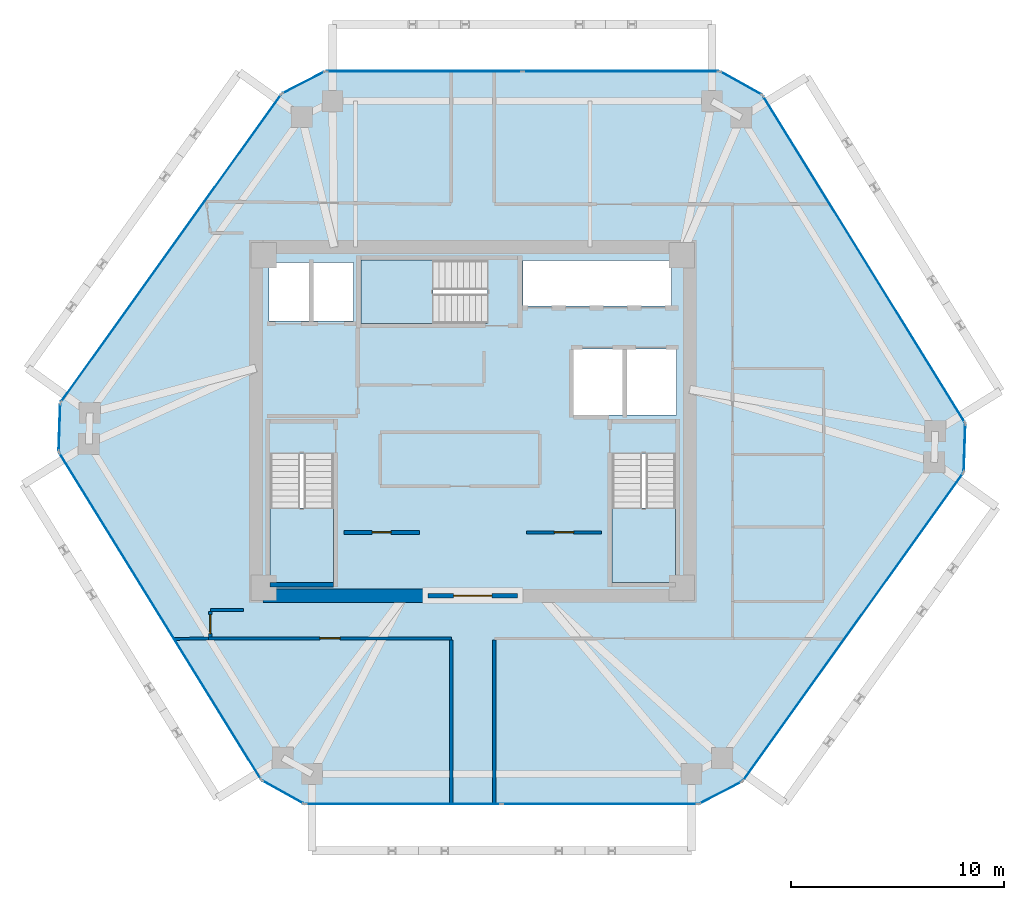
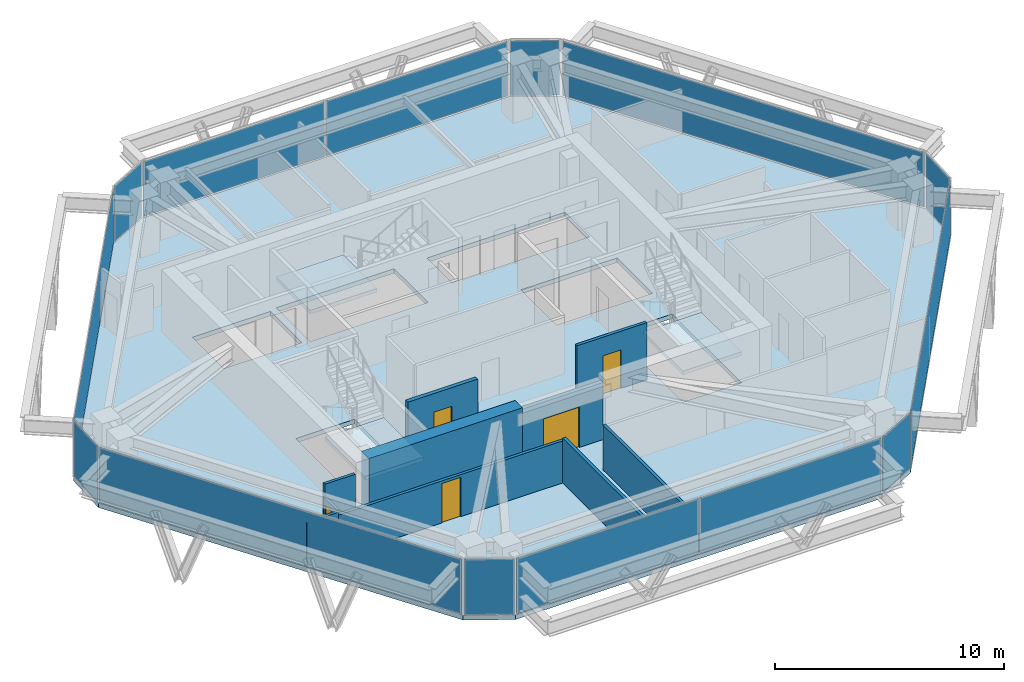
# One storey, part 7 of 11: 14 plates, 11 walls, 5 doors, 4 slabs, 5 openings, 15 elements without a shape of their own.
"""IFC4 building model written with IfcOpenShell, lengths in metres."""

from ifc_helpers import new_model, si_unit, direction, frame, frame_2d, origin, origin_2d, place, context, subcontext, project, spatial, polyline, rectangle, outline, extrude, source, transform, mapped, material, layer, layer_set, type_object, type_shapes, element, fill, aggregate, save


model = new_model("IFC4")

# Units and contexts
model_context = context("Model", 3, precision=1e-05, world=origin(), true_north=direction((0.0, 1.0)))
body_context = subcontext(model_context, "Body", "Model", "MODEL_VIEW")
ifc_project = project(units=[si_unit("LENGTHUNIT", "METRE"), si_unit("AREAUNIT", "SQUARE_METRE"), si_unit("VOLUMEUNIT", "CUBIC_METRE"), si_unit("PLANEANGLEUNIT", "RADIAN"), si_unit("MASSUNIT", "GRAM", prefix="KILO")], contexts=[model_context])

# Site, building, storey
site_placement = place(None, origin())
site = spatial("IfcSite", under=ifc_project, at=site_placement, CompositionType="ELEMENT")
building_placement = place(site_placement, origin())
building = spatial("IfcBuilding", under=site, at=building_placement, Name="Durnholm Broadcast Tower", CompositionType="ELEMENT")
storey_placement = place(building_placement, frame((0.0, 0.0, 170.5)))
storey = spatial("IfcBuildingStorey", under=building, at=storey_placement, Name="L46", CompositionType="ELEMENT", Elevation=170.5)

# Slab
ifc_material_1 = material(Name="Concrete C50/60", Category="concrete")
ifc_layer_1 = layer(ifc_material_1, 0.239990234375)
ifc_layer_set_1 = layer_set([ifc_layer_1], Name="Concrete C50/60")
slab_type_1 = type_object("IfcSlabType", Name="SLAB-FLR-240", PredefinedType="FLOOR", material=ifc_layer_set_1)
slab_1_placement = place(storey_placement, frame((0.0, 0.0, -0.239990234375)))
element("IfcSlab", 1, at=slab_1_placement, inside=storey, type_object=slab_type_1, Name="L46 structural floor slab", PredefinedType="FLOOR", context=body_context, shape_type="SweptSolid", body=[
    extrude(outline(polyline([(-9.912353515625, -16.822021484375), (-7.9033203125, -17.94189453125), (10.59521484375, -17.94189453125), (12.64111328125, -16.890625), (23.022705078125, -2.390380859375), (23.1005859375, -0.091552734375), (13.59033203125, 15.2978515625), (11.581298828125, 16.41796875), (-6.917236328125, 16.41796875), (-8.962890625, 15.36669921875), (-19.3447265625, 0.8662109375), (-19.422607421875, -1.432373046875), (-9.912353515625, -16.822021484375)]), holes=[polyline([(-6.5400390625, -1.5), (-9.5, -1.5), (-9.5, -7.550048828125), (-6.5400390625, -7.550048828125), (-6.5400390625, -1.5)]), polyline([(9.5, -7.550048828125), (9.5, -1.5), (6.5400390625, -1.5), (6.5400390625, -7.550048828125), (9.5, -7.550048828125)]), polyline([(9.550048828125, 3.39990234375), (4.699951171875, 3.39990234375), (4.699951171875, 0.300048828125), (9.550048828125, 0.300048828125), (9.550048828125, 3.39990234375)]), polyline([(-9.550048828125, 7.449951171875), (-9.550048828125, 4.699951171875), (-5.60009765625, 4.699951171875), (-5.60009765625, 7.449951171875), (-9.550048828125, 7.449951171875)]), polyline([(-5.25, 4.60009765625), (0.699951171875, 4.60009765625), (0.699951171875, 7.56005859375), (-5.25, 7.56005859375), (-5.25, 4.60009765625)]), polyline([(9.31005859375, 7.550048828125), (2.35009765625, 7.550048828125), (2.35009765625, 5.39990234375), (9.31005859375, 5.39990234375), (9.31005859375, 7.550048828125)])]), origin(), (0.0, 0.0, 1.0), 0.239990234375),
])

# Stair, slab
stair_type = type_object("IfcStairType", Name="STAIR-DL-20R1650", PredefinedType="HALF_TURN_STAIR", material=ifc_material_1)
stair_1_placement = place(storey_placement, origin())
stair_1 = element("IfcStair", 2, at=stair_1_placement, inside=storey, type_object=stair_type, Name="L46 ST-1", PredefinedType="HALF_TURN_STAIR")
ifc_layer_2 = layer(ifc_material_1, 0.199951171875)
ifc_layer_set_2 = layer_set([ifc_layer_2], Name="Concrete C50/60")
slab_type_2 = type_object("IfcSlabType", Name="SLAB-LND-200", PredefinedType="LANDING", material=ifc_layer_set_2)
slab_2_placement = place(storey_placement, frame((0.0, 0.0, 1.449951171875)))
slab_2 = element("IfcSlab", 3, at=slab_2_placement, type_object=slab_type_2, Name="ST-1 landing 1", PredefinedType="LANDING", context=body_context, shape_type="SweptSolid", body=[
    extrude(outline(polyline([(-9.5, -4.06494140625), (-9.5, -7.550048828125), (-6.5400390625, -7.550048828125), (-6.5400390625, -4.06494140625), (-9.5, -4.06494140625)])), origin(), (0.0, 0.0, 1.0), 0.199951171875),
])
aggregate(stair_1, [slab_2])

stair_2_placement = place(storey_placement, origin())
stair_2 = element("IfcStair", 4, at=stair_2_placement, inside=storey, type_object=stair_type, Name="L46 ST-2", PredefinedType="HALF_TURN_STAIR")
slab_3_placement = place(storey_placement, frame((0.0, 0.0, 1.449951171875)))
slab_3 = element("IfcSlab", 5, at=slab_3_placement, type_object=slab_type_2, Name="ST-2 landing 1", PredefinedType="LANDING", context=body_context, shape_type="SweptSolid", body=[
    extrude(outline(polyline([(6.5400390625, -4.06494140625), (6.5400390625, -7.550048828125), (9.5, -7.550048828125), (9.5, -4.06494140625), (6.5400390625, -4.06494140625)])), origin(), (0.0, 0.0, 1.0), 0.199951171875),
])
aggregate(stair_2, [slab_3])

stair_3_placement = place(storey_placement, origin())
stair_3 = element("IfcStair", 6, at=stair_3_placement, inside=storey, type_object=stair_type, Name="L46 ST-3", PredefinedType="HALF_TURN_STAIR")
slab_4_placement = place(storey_placement, frame((0.0, 0.0, 1.449951171875)))
slab_4 = element("IfcSlab", 7, at=slab_4_placement, type_object=slab_type_2, Name="ST-3 landing 1", PredefinedType="LANDING", context=body_context, shape_type="SweptSolid", body=[
    extrude(outline(polyline([(-1.864990234375, 7.56005859375), (-5.25, 7.56005859375), (-5.25, 4.60009765625), (-1.864990234375, 4.60009765625), (-1.864990234375, 7.56005859375)])), origin(), (0.0, 0.0, 1.0), 0.199951171875),
])
aggregate(stair_3, [slab_4])

# Curtain wall, plate
ifc_material_2 = material(Name="Aluminium and Solar Control IGU", Category="aluminium")
ifc_layer_3 = layer(ifc_material_2, 0.1650390625)
ifc_layer_set_3 = layer_set([ifc_layer_3], Name="Aluminium and Solar Control IGU")
curtain_wall_type_1 = type_object("IfcCurtainWallType", Name="CW-SYS-5", PredefinedType="NOTDEFINED", material=ifc_layer_set_3)
curtain_wall_1_placement = place(storey_placement, origin())
curtain_wall_1 = element("IfcCurtainWall", 8, at=curtain_wall_1_placement, inside=storey, type_object=curtain_wall_type_1, Name="L46 curtain wall CW-CORNER CW-L46-CRN-01", PredefinedType="NOTDEFINED")
ifc_material_3 = material(Name="Low-E Laminated Insulating Glass", Category="glass")
ifc_layer_4 = layer(ifc_material_3, 0.030029296875)
ifc_layer_set_4 = layer_set([ifc_layer_4], Name="Low-E Laminated Insulating Glass")
plate_type_1 = type_object("IfcPlateType", Name="CW-SYS-5-PNL", PredefinedType="CURTAIN_PANEL", material=ifc_layer_set_4)
shared_shape_1 = source(origin(), body_context, "Body", "SweptSolid", [
    extrude(rectangle(XDim=2.169921875, YDim=0.030029296875, at=origin_2d()), origin(), (0.0, 0.0, 1.0), 2.929931640625),
])
plate_1_placement = place(storey_placement, frame((-19.3837890625, -0.282958984375, 0.06494140625), z_axis=(0.0, 0.0, 1.0), x_axis=(0.033912704699, 0.999424798802, 0.0)))
plate_1 = element("IfcPlate", 9, at=plate_1_placement, type_object=plate_type_1, Name="CW-CORNER panel 1.1", PredefinedType="CURTAIN_PANEL", context=body_context, shape_type="MappedRepresentation", body=[
    mapped(shared_shape_1, transform((0.0, 0.0, 0.0), x_axis=(1.0, 0.0, 0.0), y_axis=(0.0, 1.0, 0.0), z_axis=(0.0, 0.0, 1.0), scale=1.0)),
])
aggregate(curtain_wall_1, [plate_1])

curtain_wall_2_placement = place(storey_placement, origin())
curtain_wall_2 = element("IfcCurtainWall", 10, at=curtain_wall_2_placement, inside=storey, type_object=curtain_wall_type_1, Name="L46 curtain wall CW-CORNER CW-L46-CRN-03", PredefinedType="NOTDEFINED")
plate_2_placement = place(storey_placement, frame((-7.940185546875, 15.892333984375, 0.06494140625), z_axis=(0.0, 0.0, 1.0), x_axis=(0.889424679545, 0.457081764476, 0.0)))
plate_2 = element("IfcPlate", 11, at=plate_2_placement, type_object=plate_type_1, Name="CW-CORNER panel 1.1", PredefinedType="CURTAIN_PANEL", context=body_context, shape_type="MappedRepresentation", body=[
    mapped(shared_shape_1, transform((0.0, 0.0, 0.0), x_axis=(1.0, 0.0, 0.0), y_axis=(0.0, 1.0, 0.0), z_axis=(0.0, 0.0, 1.0), scale=1.0)),
])
aggregate(curtain_wall_2, [plate_2])

curtain_wall_3_placement = place(storey_placement, origin())
curtain_wall_3 = element("IfcCurtainWall", 12, at=curtain_wall_3_placement, inside=storey, type_object=curtain_wall_type_1, Name="L46 curtain wall CW-CORNER CW-L46-CRN-07", PredefinedType="NOTDEFINED")
plate_3_placement = place(storey_placement, frame((23.061767578125, -1.240966796875, 0.06494140625), z_axis=(0.0, 0.0, 1.0), x_axis=(-0.033912704699, -0.999424798802, 0.0)))
plate_3 = element("IfcPlate", 13, at=plate_3_placement, type_object=plate_type_1, Name="CW-CORNER panel 1.1", PredefinedType="CURTAIN_PANEL", context=body_context, shape_type="MappedRepresentation", body=[
    mapped(shared_shape_1, transform((0.0, 0.0, 0.0), x_axis=(1.0, 0.0, 0.0), y_axis=(0.0, 1.0, 0.0), z_axis=(0.0, 0.0, 1.0), scale=1.0)),
])
aggregate(curtain_wall_3, [plate_3])

curtain_wall_4_placement = place(storey_placement, origin())
curtain_wall_4 = element("IfcCurtainWall", 14, at=curtain_wall_4_placement, inside=storey, type_object=curtain_wall_type_1, Name="L46 curtain wall CW-CORNER CW-L46-CRN-09", PredefinedType="NOTDEFINED")
plate_4_placement = place(storey_placement, frame((11.6181640625, -17.416259765625, 0.06494140625), z_axis=(0.0, 0.0, 1.0), x_axis=(-0.889424679545, -0.457081764476, 0.0)))
plate_4 = element("IfcPlate", 15, at=plate_4_placement, type_object=plate_type_1, Name="CW-CORNER panel 1.1", PredefinedType="CURTAIN_PANEL", context=body_context, shape_type="MappedRepresentation", body=[
    mapped(shared_shape_1, transform((0.0, 0.0, 0.0), x_axis=(1.0, 0.0, 0.0), y_axis=(0.0, 1.0, 0.0), z_axis=(0.0, 0.0, 1.0), scale=1.0)),
])
aggregate(curtain_wall_4, [plate_4])

ifc_layer_5 = layer(ifc_material_2, 0.18994140625)
ifc_layer_set_5 = layer_set([ifc_layer_5], Name="Aluminium and Solar Control IGU")
curtain_wall_type_2 = type_object("IfcCurtainWallType", Name="CW-SYS-4", PredefinedType="NOTDEFINED", material=ifc_layer_set_5)
curtain_wall_5_placement = place(storey_placement, origin())
curtain_wall_5 = element("IfcCurtainWall", 16, at=curtain_wall_5_placement, inside=storey, type_object=curtain_wall_type_2, Name="L46 curtain wall CW-Z34-VIS CW-L46-F02", PredefinedType="NOTDEFINED")
ifc_layer_6 = layer(ifc_material_3, 0.033935546875)
ifc_layer_set_6 = layer_set([ifc_layer_6], Name="Low-E Laminated Insulating Glass")
plate_type_2 = type_object("IfcPlateType", Name="CW-SYS-4-PNL", PredefinedType="CURTAIN_PANEL", material=ifc_layer_set_6)
shared_shape_2 = source(origin(), body_context, "Body", "SweptSolid", [
    extrude(rectangle(XDim=17.693603515625, YDim=0.033935546875, at=origin_2d()), origin(), (0.0, 0.0, 1.0), 2.919921875),
])
plate_5_placement = place(storey_placement, frame((-14.15380859375, 8.116455078125, 0.070068359375), z_axis=(0.0, 0.0, 1.0), x_axis=(0.582139030549, 0.813089262696, 0.0)))
plate_5 = element("IfcPlate", 17, at=plate_5_placement, type_object=plate_type_2, Name="CW-Z34-VIS panel 1.1", PredefinedType="CURTAIN_PANEL", context=body_context, shape_type="MappedRepresentation", body=[
    mapped(shared_shape_2, transform((0.0, 0.0, 0.0), x_axis=(1.0, 0.0, 0.0), y_axis=(0.0, 1.0, 0.0), z_axis=(0.0, 0.0, 1.0), scale=1.0)),
])
aggregate(curtain_wall_5, [plate_5])

curtain_wall_6_placement = place(storey_placement, origin())
curtain_wall_6 = element("IfcCurtainWall", 18, at=curtain_wall_6_placement, inside=storey, type_object=curtain_wall_type_2, Name="L46 curtain wall CW-Z34-VIS CW-L46-F08", PredefinedType="NOTDEFINED")
plate_6_placement = place(storey_placement, frame((17.831787109375, -9.640380859375, 0.070068359375), z_axis=(0.0, 0.0, 1.0), x_axis=(-0.582139030549, -0.813089262696, 0.0)))
plate_6 = element("IfcPlate", 19, at=plate_6_placement, type_object=plate_type_2, Name="CW-Z34-VIS panel 1.1", PredefinedType="CURTAIN_PANEL", context=body_context, shape_type="MappedRepresentation", body=[
    mapped(shared_shape_2, transform((0.0, 0.0, 0.0), x_axis=(1.0, 0.0, 0.0), y_axis=(0.0, 1.0, 0.0), z_axis=(0.0, 0.0, 1.0), scale=1.0)),
])
aggregate(curtain_wall_6, [plate_6])

# Curtain wall, plates
curtain_wall_7_placement = place(storey_placement, origin())
curtain_wall_7 = element("IfcCurtainWall", 20, at=curtain_wall_7_placement, inside=storey, type_object=curtain_wall_type_2, Name="L46 curtain wall CW-Z34-VIS CW-L46-F04", PredefinedType="NOTDEFINED")
shared_shape_3 = source(origin(), body_context, "Body", "SweptSolid", [
    extrude(rectangle(XDim=9.144287109375, YDim=0.033935546875, at=origin_2d()), origin(), (0.0, 0.0, 1.0), 2.919921875),
])
plate_7_placement = place(storey_placement, frame((-2.275146484375, 16.41796875, 0.070068359375), z_axis=(0.0, 0.0, 1.0), x_axis=(1.0, 0.0, 0.0)))
plate_7 = element("IfcPlate", 21, at=plate_7_placement, type_object=plate_type_2, Name="CW-Z34-VIS panel 1.1", PredefinedType="CURTAIN_PANEL", context=body_context, shape_type="MappedRepresentation", body=[
    mapped(shared_shape_3, transform((0.0, 0.0, 0.0), x_axis=(1.0, 0.0, 0.0), y_axis=(0.0, 1.0, 0.0), z_axis=(0.0, 0.0, 1.0), scale=1.0)),
])
plate_8_placement = place(storey_placement, frame((6.939208984375, 16.41796875, 0.070068359375), z_axis=(0.0, 0.0, 1.0), x_axis=(1.0, 0.0, 0.0)))
plate_8 = element("IfcPlate", 22, at=plate_8_placement, type_object=plate_type_2, Name="CW-Z34-VIS panel 2.1", PredefinedType="CURTAIN_PANEL", context=body_context, shape_type="MappedRepresentation", body=[
    mapped(shared_shape_3, transform((0.0, 0.0, 0.0), x_axis=(1.0, 0.0, 0.0), y_axis=(0.0, 1.0, 0.0), z_axis=(0.0, 0.0, 1.0), scale=1.0)),
])
aggregate(curtain_wall_7, [plate_7, plate_8])

curtain_wall_8_placement = place(storey_placement, origin())
curtain_wall_8 = element("IfcCurtainWall", 23, at=curtain_wall_8_placement, inside=storey, type_object=curtain_wall_type_2, Name="L46 curtain wall CW-Z34-VIS CW-L46-F10", PredefinedType="NOTDEFINED")
plate_9_placement = place(storey_placement, frame((5.953125, -17.94189453125, 0.070068359375), z_axis=(0.0, 0.0, 1.0), x_axis=(-1.0, 0.0, 0.0)))
plate_9 = element("IfcPlate", 24, at=plate_9_placement, type_object=plate_type_2, Name="CW-Z34-VIS panel 1.1", PredefinedType="CURTAIN_PANEL", context=body_context, shape_type="MappedRepresentation", body=[
    mapped(shared_shape_3, transform((0.0, 0.0, 0.0), x_axis=(1.0, 0.0, 0.0), y_axis=(0.0, 1.0, 0.0), z_axis=(0.0, 0.0, 1.0), scale=1.0)),
])
plate_10_placement = place(storey_placement, frame((-3.26123046875, -17.94189453125, 0.070068359375), z_axis=(0.0, 0.0, 1.0), x_axis=(-1.0, 0.0, 0.0)))
plate_10 = element("IfcPlate", 25, at=plate_10_placement, type_object=plate_type_2, Name="CW-Z34-VIS panel 2.1", PredefinedType="CURTAIN_PANEL", context=body_context, shape_type="MappedRepresentation", body=[
    mapped(shared_shape_3, transform((0.0, 0.0, 0.0), x_axis=(1.0, 0.0, 0.0), y_axis=(0.0, 1.0, 0.0), z_axis=(0.0, 0.0, 1.0), scale=1.0)),
])
aggregate(curtain_wall_8, [plate_9, plate_10])

# Curtain wall, plate
curtain_wall_9_placement = place(storey_placement, origin())
curtain_wall_9 = element("IfcCurtainWall", 26, at=curtain_wall_9_placement, inside=storey, type_object=curtain_wall_type_1, Name="L46 curtain wall CW-CORNER CW-L46-CRN-05", PredefinedType="NOTDEFINED")
shared_shape_4 = source(origin(), body_context, "Body", "SweptSolid", [
    extrude(rectangle(XDim=2.170166015625, YDim=0.030029296875, at=origin_2d()), origin(), (0.0, 0.0, 1.0), 2.929931640625),
])
type_shapes(plate_type_1, [shared_shape_1, shared_shape_4])
plate_11_placement = place(storey_placement, frame((12.5859375, 15.85791015625, 0.06494140625), z_axis=(0.0, 0.0, 1.0), x_axis=(0.873409751271, -0.486986043316, 0.0)))
plate_11 = element("IfcPlate", 27, at=plate_11_placement, type_object=plate_type_1, Name="CW-CORNER panel 1.1", PredefinedType="CURTAIN_PANEL", context=body_context, shape_type="MappedRepresentation", body=[
    mapped(shared_shape_4, transform((0.0, 0.0, 0.0), x_axis=(1.0, 0.0, 0.0), y_axis=(0.0, 1.0, 0.0), z_axis=(0.0, 0.0, 1.0), scale=1.0)),
])
aggregate(curtain_wall_9, [plate_11])

curtain_wall_10_placement = place(storey_placement, origin())
curtain_wall_10 = element("IfcCurtainWall", 28, at=curtain_wall_10_placement, inside=storey, type_object=curtain_wall_type_1, Name="L46 curtain wall CW-CORNER CW-L46-CRN-11", PredefinedType="NOTDEFINED")
plate_12_placement = place(storey_placement, frame((-8.907958984375, -17.3818359375, 0.06494140625), z_axis=(0.0, 0.0, 1.0), x_axis=(-0.873409751271, 0.486986043316, 0.0)))
plate_12 = element("IfcPlate", 29, at=plate_12_placement, type_object=plate_type_1, Name="CW-CORNER panel 1.1", PredefinedType="CURTAIN_PANEL", context=body_context, shape_type="MappedRepresentation", body=[
    mapped(shared_shape_4, transform((0.0, 0.0, 0.0), x_axis=(1.0, 0.0, 0.0), y_axis=(0.0, 1.0, 0.0), z_axis=(0.0, 0.0, 1.0), scale=1.0)),
])
aggregate(curtain_wall_10, [plate_12])

curtain_wall_11_placement = place(storey_placement, origin())
curtain_wall_11 = element("IfcCurtainWall", 30, at=curtain_wall_11_placement, inside=storey, type_object=curtain_wall_type_2, Name="L46 curtain wall CW-Z34-VIS CW-L46-F06", PredefinedType="NOTDEFINED")
shared_shape_5 = source(origin(), body_context, "Body", "SweptSolid", [
    extrude(rectangle(XDim=17.950927734375, YDim=0.033935546875, at=origin_2d()), origin(), (0.0, 0.0, 1.0), 2.919921875),
])
type_shapes(plate_type_2, [shared_shape_2, shared_shape_3, shared_shape_5])
plate_13_placement = place(storey_placement, frame((18.345458984375, 7.603271484375, 0.070068359375), z_axis=(0.0, 0.0, 1.0), x_axis=(0.525697750452, -0.850671426092, 0.0)))
plate_13 = element("IfcPlate", 31, at=plate_13_placement, type_object=plate_type_2, Name="CW-Z34-VIS panel 1.1", PredefinedType="CURTAIN_PANEL", context=body_context, shape_type="MappedRepresentation", body=[
    mapped(shared_shape_5, transform((0.0, 0.0, 0.0), x_axis=(1.0, 0.0, 0.0), y_axis=(0.0, 1.0, 0.0), z_axis=(0.0, 0.0, 1.0), scale=1.0)),
])
aggregate(curtain_wall_11, [plate_13])

curtain_wall_12_placement = place(storey_placement, origin())
curtain_wall_12 = element("IfcCurtainWall", 32, at=curtain_wall_12_placement, inside=storey, type_object=curtain_wall_type_2, Name="L46 curtain wall CW-Z34-VIS CW-L46-F12", PredefinedType="NOTDEFINED")
plate_14_placement = place(storey_placement, frame((-14.66748046875, -9.127197265625, 0.070068359375), z_axis=(0.0, 0.0, 1.0), x_axis=(-0.525697750452, 0.850671426092, 0.0)))
plate_14 = element("IfcPlate", 33, at=plate_14_placement, type_object=plate_type_2, Name="CW-Z34-VIS panel 1.1", PredefinedType="CURTAIN_PANEL", context=body_context, shape_type="MappedRepresentation", body=[
    mapped(shared_shape_5, transform((0.0, 0.0, 0.0), x_axis=(1.0, 0.0, 0.0), y_axis=(0.0, 1.0, 0.0), z_axis=(0.0, 0.0, 1.0), scale=1.0)),
])
aggregate(curtain_wall_12, [plate_14])

# Wall
ifc_material_4 = material(Name="Concrete C70/85", Category="concrete")
ifc_layer_7 = layer(ifc_material_4, 0.64990234375)
ifc_layer_set_7 = layer_set([ifc_layer_7], Name="Concrete C70/85")
wall_type_1 = type_object("IfcWallType", Name="WALL-CW-650", PredefinedType="SHEAR", material=ifc_layer_set_7)
wall_1_placement = place(storey_placement, frame((-9.85009765625, -8.175048828125, 0.0), z_axis=(0.0, 0.0, 1.0), x_axis=(1.0, 0.0, 0.0)))
element("IfcWall", 34, at=wall_1_placement, inside=storey, type_object=wall_type_1, Name="L46 central core shear wall CW-S1", PredefinedType="SHEAR", context=body_context, shape_type="SweptSolid", body=[
    extrude(rectangle(XDim=7.75, YDim=0.64990234375, at=frame_2d((3.875, 0.0))), origin(), (0.0, 0.0, 1.0), 3.300048828125),
])

# Wall, opening, door
ifc_material_5 = material(Name="Fire-Rated Gypsum Shaftwall", Category="concrete")
ifc_layer_8 = layer(ifc_material_5, 0.199951171875)
ifc_layer_set_8 = layer_set([ifc_layer_8], Name="Fire-Rated Gypsum Shaftwall")
wall_type_2 = type_object("IfcWallType", Name="WALL-LOB-200", PredefinedType="SOLIDWALL", material=ifc_layer_set_8)
wall_2_placement = place(storey_placement, frame((-2.10009765625, -8.175048828125, 0.0), z_axis=(0.0, 0.0, 1.0), x_axis=(1.0, 0.0, 0.0)))
wall_2 = element("IfcWall", 35, at=wall_2_placement, inside=storey, type_object=wall_type_2, Name="L46 south core lobby fire screen", PredefinedType="SOLIDWALL", context=body_context, shape_type="SweptSolid", body=[
    extrude(rectangle(XDim=4.2001953125, YDim=0.199951171875, at=frame_2d((2.10009765625, 0.0))), origin(), (0.0, 0.0, 1.0), 3.044921875),
])
opening_1_placement = place(wall_2_placement, frame((1.199951171875, 0.0, 0.0)))
opening_1 = element("IfcOpeningElement", 36, at=opening_1_placement, cuts=wall_2, Name="Opening DP-60", PredefinedType="OPENING", context=body_context, shape_type="SweptSolid", body=[
    extrude(rectangle(XDim=1.800048828125, YDim=2.14990234375, at=frame_2d((0.89990234375, 1.074951171875))), frame((0.0, 0.10986328125, 0.0), z_axis=(0.0, -1.0, 0.0), x_axis=(1.0, 0.0, 0.0)), (0.0, 0.0, 1.0), 0.219970703125),
])
ifc_material_6 = material(Name="Fire-Rated Double Corridor Door", Category="steel")
ifc_layer_9 = layer(ifc_material_6, 0.050048828125)
ifc_layer_set_9 = layer_set([ifc_layer_9], Name="Fire-Rated Double Corridor Door")
door_type_1 = type_object("IfcDoorType", Name="DOOR-PAIR-FD60", OperationType="DOUBLE_DOOR_SINGLE_SWING", PredefinedType="DOOR", material=ifc_layer_set_9)
shared_shape_6 = source(origin(), body_context, "Body", "SweptSolid", [
    extrude(rectangle(XDim=1.800048828125, YDim=2.14990234375, at=frame_2d((0.89990234375, 1.074951171875))), frame((0.0, 0.02490234375, 0.0), z_axis=(0.0, -1.0, 0.0), x_axis=(1.0, 0.0, 0.0)), (0.0, 0.0, 1.0), 0.050048828125),
])
type_shapes(door_type_1, [shared_shape_6])
door_1_placement = place(opening_1_placement, origin())
door_1 = element("IfcDoor", 37, at=door_1_placement, inside=storey, type_object=door_type_1, Name="L46 south core lobby double fire door", OperationType="DOUBLE_DOOR_SINGLE_SWING", OverallHeight=2.14990234375, OverallWidth=1.800048828125, PredefinedType="DOOR", context=body_context, shape_type="MappedRepresentation", body=[
    mapped(shared_shape_6, transform((0.0, 0.0, 0.0), x_axis=(1.0, 0.0, 0.0), y_axis=(0.0, 1.0, 0.0), z_axis=(0.0, 0.0, 1.0), scale=1.0)),
])
fill(opening_1, door_1)

wall_3_placement = place(storey_placement, frame((-6.0400390625, -5.2099609375, 0.0), z_axis=(0.0, 0.0, 1.0), x_axis=(1.0, 0.0, 0.0)))
wall_3 = element("IfcWall", 38, at=wall_3_placement, inside=storey, type_object=wall_type_2, Name="L46 Broadcast Signal Rack Room corridor partition", PredefinedType="SOLIDWALL", context=body_context, shape_type="SweptSolid", body=[
    extrude(rectangle(XDim=3.530029296875, YDim=0.199951171875, at=frame_2d((1.76513671875, 0.0))), origin(), (0.0, 0.0, 1.0), 3.044921875),
])
opening_2_placement = place(wall_3_placement, frame((1.31494140625, 0.0, 0.0)))
opening_2 = element("IfcOpeningElement", 39, at=opening_2_placement, cuts=wall_3, Name="Opening DC-60R", PredefinedType="OPENING", context=body_context, shape_type="SweptSolid", body=[
    extrude(rectangle(XDim=0.89990234375, YDim=2.050048828125, at=frame_2d((0.449951171875, 1.02490234375))), frame((0.0, 0.10986328125, 0.0), z_axis=(0.0, -1.0, 0.0), x_axis=(1.0, 0.0, 0.0)), (0.0, 0.0, 1.0), 0.219970703125),
])
ifc_material_7 = material(Name="Fire-Rated Core Service Door", Category="steel")
ifc_layer_10 = layer(ifc_material_7, 0.050048828125)
ifc_layer_set_10 = layer_set([ifc_layer_10], Name="Fire-Rated Core Service Door")
door_type_2 = type_object("IfcDoorType", Name="DOOR-CORE-FD60-R", OperationType="NOTDEFINED", PredefinedType="DOOR", material=ifc_layer_set_10)
shared_shape_7 = source(origin(), body_context, "Body", "SweptSolid", [
    extrude(rectangle(XDim=0.89990234375, YDim=2.050048828125, at=frame_2d((0.449951171875, 1.02490234375))), frame((0.0, 0.02490234375, 0.0), z_axis=(0.0, -1.0, 0.0), x_axis=(1.0, 0.0, 0.0)), (0.0, 0.0, 1.0), 0.050048828125),
])
type_shapes(door_type_2, [shared_shape_7])
door_2_placement = place(opening_2_placement, origin())
door_2 = element("IfcDoor", 40, at=door_2_placement, inside=storey, type_object=door_type_2, Name="L46 Broadcast Signal Rack Room entrance door", OperationType="SINGLE_SWING_RIGHT", OverallHeight=2.050048828125, OverallWidth=0.89990234375, PredefinedType="DOOR", context=body_context, shape_type="MappedRepresentation", body=[
    mapped(shared_shape_7, transform((0.0, 0.0, 0.0), x_axis=(1.0, 0.0, 0.0), y_axis=(0.0, 1.0, 0.0), z_axis=(0.0, 0.0, 1.0), scale=1.0)),
])
fill(opening_2, door_2)

# Wall
ifc_material_8 = material(Name="Gypsum Metal Stud Partition", Category="concrete")
ifc_layer_11 = layer(ifc_material_8, 0.135009765625)
ifc_layer_set_11 = layer_set([ifc_layer_11], Name="Gypsum Metal Stud Partition")
wall_type_3 = type_object("IfcWallType", Name="WALL-PART-135", PredefinedType="PARTITIONING", material=ifc_layer_set_11)
wall_4_placement = place(storey_placement, frame((-14.00390625, -10.200927734375, 0.0), z_axis=(0.0, 0.0, 1.0), x_axis=(0.999923084603, 0.012402615782, 0.0)))
element("IfcWall", 41, at=wall_4_placement, inside=storey, type_object=wall_type_3, Name="L46 room dividing partition 10.12", PredefinedType="PARTITIONING", context=body_context, shape_type="SweptSolid", body=[
    extrude(rectangle(XDim=1.6142578125, YDim=0.135009765625, at=frame_2d((0.80712890625, 0.0))), origin(), (0.0, 0.0, 1.0), 2.398681640625),
])

# Wall, opening, door
ifc_material_9 = material(Name="Acoustic Gypsum Stud Partition", Category="concrete")
ifc_layer_12 = layer(ifc_material_9, 0.14990234375)
ifc_layer_set_12 = layer_set([ifc_layer_12], Name="Acoustic Gypsum Stud Partition")
wall_type_4 = type_object("IfcWallType", Name="WALL-PART-150", PredefinedType="PARTITIONING", material=ifc_layer_set_12)
wall_5_placement = place(storey_placement, frame((2.510009765625, -5.2099609375, 0.0), z_axis=(0.0, 0.0, 1.0), x_axis=(1.0, 0.0, 0.0)))
wall_5 = element("IfcWall", 42, at=wall_5_placement, inside=storey, type_object=wall_type_4, Name="L46 Editorial Beverage Pantry corridor partition", PredefinedType="PARTITIONING", context=body_context, shape_type="SweptSolid", body=[
    extrude(rectangle(XDim=3.530029296875, YDim=0.14990234375, at=frame_2d((1.76513671875, 0.0))), origin(), (0.0, 0.0, 1.0), 3.044921875),
])
opening_3_placement = place(wall_5_placement, frame((1.31494140625, 0.0, 0.0)))
opening_3 = element("IfcOpeningElement", 43, at=opening_3_placement, cuts=wall_5, Name="Opening DC-60L", PredefinedType="OPENING", context=body_context, shape_type="SweptSolid", body=[
    extrude(rectangle(XDim=0.89990234375, YDim=2.050048828125, at=frame_2d((0.449951171875, 1.02490234375))), frame((0.0, 0.0849609375, 0.0), z_axis=(0.0, -1.0, 0.0), x_axis=(1.0, 0.0, 0.0)), (0.0, 0.0, 1.0), 0.169921875),
])
ifc_layer_13 = layer(ifc_material_7, 0.050048828125)
ifc_layer_set_13 = layer_set([ifc_layer_13], Name="Fire-Rated Core Service Door")
door_type_3 = type_object("IfcDoorType", Name="DOOR-CORE-FD60-L", OperationType="NOTDEFINED", PredefinedType="DOOR", material=ifc_layer_set_13)
shared_shape_8 = source(origin(), body_context, "Body", "SweptSolid", [
    extrude(rectangle(XDim=0.89990234375, YDim=2.050048828125, at=frame_2d((0.449951171875, 1.02490234375))), frame((0.0, 0.02490234375, 0.0), z_axis=(0.0, -1.0, 0.0), x_axis=(1.0, 0.0, 0.0)), (0.0, 0.0, 1.0), 0.050048828125),
])
type_shapes(door_type_3, [shared_shape_8])
door_3_placement = place(opening_3_placement, origin())
door_3 = element("IfcDoor", 44, at=door_3_placement, inside=storey, type_object=door_type_3, Name="L46 Editorial Beverage Pantry entrance door", OperationType="SINGLE_SWING_LEFT", OverallHeight=2.050048828125, OverallWidth=0.89990234375, PredefinedType="DOOR", context=body_context, shape_type="MappedRepresentation", body=[
    mapped(shared_shape_8, transform((0.0, 0.0, 0.0), x_axis=(1.0, 0.0, 0.0), y_axis=(0.0, 1.0, 0.0), z_axis=(0.0, 0.0, 1.0), scale=1.0)),
])
fill(opening_3, door_3)

wall_6_placement = place(storey_placement, frame((-12.389892578125, -10.179931640625, 0.0), z_axis=(0.0, 0.0, 1.0), x_axis=(1.0, 0.0, 0.0)))
wall_6 = element("IfcWall", 45, at=wall_6_placement, inside=storey, type_object=wall_type_4, Name="L46 Research Commons Lounge corridor partition", PredefinedType="PARTITIONING", context=body_context, shape_type="SweptSolid", body=[
    extrude(rectangle(XDim=11.3798828125, YDim=0.14990234375, at=frame_2d((5.68994140625, 0.0))), origin(), (0.0, 0.0, 1.0), 2.24169921875),
])
opening_4_placement = place(wall_6_placement, frame((5.215087890625, 0.0, 0.0)))
opening_4 = element("IfcOpeningElement", 46, at=opening_4_placement, cuts=wall_6, Name="Opening DR-95L", PredefinedType="OPENING", context=body_context, shape_type="SweptSolid", body=[
    extrude(rectangle(XDim=0.949951171875, YDim=2.10009765625, at=frame_2d((0.47509765625, 1.050048828125))), frame((0.0, 0.0849609375, 0.0), z_axis=(0.0, -1.0, 0.0), x_axis=(1.0, 0.0, 0.0)), (0.0, 0.0, 1.0), 0.169921875),
])
ifc_material_10 = material(Name="Acoustic Oak Veneer Timber Door", Category="wood")
ifc_layer_14 = layer(ifc_material_10, 0.050048828125)
ifc_layer_set_14 = layer_set([ifc_layer_14], Name="Acoustic Oak Veneer Timber Door")
door_type_4 = type_object("IfcDoorType", Name="DOOR-RM-950L", OperationType="NOTDEFINED", PredefinedType="DOOR", material=ifc_layer_set_14)
shared_shape_9 = source(origin(), body_context, "Body", "SweptSolid", [
    extrude(rectangle(XDim=0.949951171875, YDim=2.10009765625, at=frame_2d((0.47509765625, 1.050048828125))), frame((0.0, 0.02490234375, 0.0), z_axis=(0.0, -1.0, 0.0), x_axis=(1.0, 0.0, 0.0)), (0.0, 0.0, 1.0), 0.050048828125),
])
type_shapes(door_type_4, [shared_shape_9])
door_4_placement = place(opening_4_placement, origin())
door_4 = element("IfcDoor", 47, at=door_4_placement, inside=storey, type_object=door_type_4, Name="L46 Research Commons Lounge entrance door", OperationType="SINGLE_SWING_LEFT", OverallHeight=2.10009765625, OverallWidth=0.949951171875, PredefinedType="DOOR", context=body_context, shape_type="MappedRepresentation", body=[
    mapped(shared_shape_9, transform((0.0, 0.0, 0.0), x_axis=(1.0, 0.0, 0.0), y_axis=(0.0, 1.0, 0.0), z_axis=(0.0, 0.0, 1.0), scale=1.0)),
])
fill(opening_4, door_4)

# Walls
for number, where, z_axis, x_axis, name in (
    (48, (-1.010009765625, -10.259033203125, 0.0), (0.0, 0.0, 1.0), (0.0, -1.0, 0.0), "L46 Research Commons Lounge corridor partition"),
    (49, (1.010009765625, -17.94189453125, 0.0), (0.0, 0.0, 1.0), (0.0, 1.0, 0.0), "L46 Lab Catering Kitchen corridor partition"),
):
    element("IfcWall", number, at=place(storey_placement, frame(where, z_axis=z_axis, x_axis=x_axis)), inside=storey, type_object=wall_type_4, Name=name, PredefinedType="PARTITIONING", context=body_context, shape_type="SweptSolid", body=[
        extrude(rectangle(XDim=7.682861328125, YDim=0.14990234375, at=frame_2d((3.84130859375, 0.0))), origin(), (0.0, 0.0, 1.0), 2.398681640625),
    ])
wall_7_placement = place(storey_placement, frame((-10.760009765625, -8.840087890625, 0.0), z_axis=(0.0, 0.0, 1.0), x_axis=(-1.0, 0.0, 0.0)))
element("IfcWall", 50, at=wall_7_placement, inside=storey, type_object=wall_type_4, Name="L46 Technical Dining Room corridor partition", PredefinedType="PARTITIONING", context=body_context, shape_type="SweptSolid", body=[
    extrude(rectangle(XDim=1.550048828125, YDim=0.14990234375, at=frame_2d((0.77490234375, 0.0))), origin(), (0.0, 0.0, 1.0), 3.044921875),
])

# Wall, opening, door
wall_8_placement = place(storey_placement, frame((-12.31005859375, -8.9189453125, 0.0), z_axis=(0.0, 0.0, 1.0), x_axis=(0.0, -1.0, 0.0)))
wall_8 = element("IfcWall", 51, at=wall_8_placement, inside=storey, type_object=wall_type_4, Name="L46 Technical Dining Room corridor partition", PredefinedType="PARTITIONING", context=body_context, shape_type="SweptSolid", body=[
    extrude(rectangle(XDim=1.18212890625, YDim=0.14990234375, at=frame_2d((0.591064453125, 0.0))), origin(), (0.0, 0.0, 1.0), 2.398681640625),
])
opening_5_placement = place(wall_8_placement, frame((0.14111328125, 0.0, 0.0)))
opening_5 = element("IfcOpeningElement", 52, at=opening_5_placement, cuts=wall_8, Name="Opening DW-90R", PredefinedType="OPENING", context=body_context, shape_type="SweptSolid", body=[
    extrude(rectangle(XDim=0.89990234375, YDim=2.050048828125, at=frame_2d((0.449951171875, 1.02490234375))), frame((0.0, 0.0849609375, 0.0), z_axis=(0.0, -1.0, 0.0), x_axis=(1.0, 0.0, 0.0)), (0.0, 0.0, 1.0), 0.169921875),
])
ifc_material_11 = material(Name="Laminate Restroom Door", Category="steel")
ifc_layer_15 = layer(ifc_material_11, 0.050048828125)
ifc_layer_set_15 = layer_set([ifc_layer_15], Name="Laminate Restroom Door")
door_type_5 = type_object("IfcDoorType", Name="DOOR-WC-900R", OperationType="NOTDEFINED", PredefinedType="DOOR", material=ifc_layer_set_15)
shared_shape_10 = source(origin(), body_context, "Body", "SweptSolid", [
    extrude(rectangle(XDim=0.89990234375, YDim=2.050048828125, at=frame_2d((0.449951171875, 1.02490234375))), frame((0.0, 0.02490234375, 0.0), z_axis=(0.0, -1.0, 0.0), x_axis=(1.0, 0.0, 0.0)), (0.0, 0.0, 1.0), 0.050048828125),
])
type_shapes(door_type_5, [shared_shape_10])
door_5_placement = place(opening_5_placement, origin())
door_5 = element("IfcDoor", 53, at=door_5_placement, inside=storey, type_object=door_type_5, Name="L46 Technical Dining Room entrance door", OperationType="SINGLE_SWING_RIGHT", OverallHeight=2.050048828125, OverallWidth=0.89990234375, PredefinedType="DOOR", context=body_context, shape_type="MappedRepresentation", body=[
    mapped(shared_shape_10, transform((0.0, 0.0, 0.0), x_axis=(1.0, 0.0, 0.0), y_axis=(0.0, 1.0, 0.0), z_axis=(0.0, 0.0, 1.0), scale=1.0)),
])
fill(opening_5, door_5)

# Wall
ifc_layer_16 = layer(ifc_material_1, 0.219970703125)
ifc_layer_set_16 = layer_set([ifc_layer_16], Name="Concrete C50/60")
wall_type_5 = type_object("IfcWallType", Name="WALL-SW-220", PredefinedType="SHEAR", material=ifc_layer_set_16)
wall_9_placement = place(storey_placement, frame((-9.5, -7.659912109375, -0.239990234375), z_axis=(0.0, 0.0, 1.0), x_axis=(1.0, 0.0, 0.0)))
element("IfcWall", 54, at=wall_9_placement, inside=storey, type_object=wall_type_5, Name="L46 stair ST-1 structural shaft wall S", PredefinedType="SHEAR", context=body_context, shape_type="SweptSolid", body=[
    extrude(rectangle(XDim=2.9599609375, YDim=0.219970703125, at=frame_2d((1.47998046875, 0.0))), origin(), (0.0, 0.0, 1.0), 3.300048828125),
])

save(model, "model.ifc")
